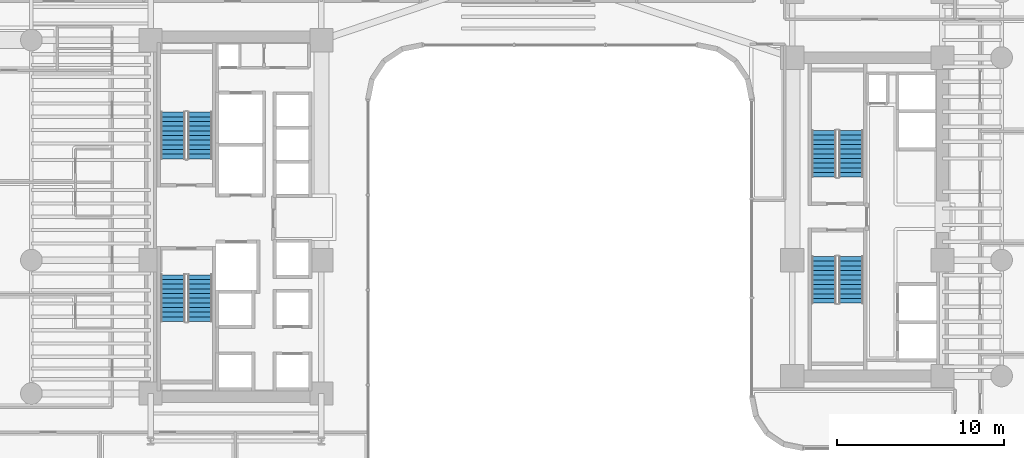
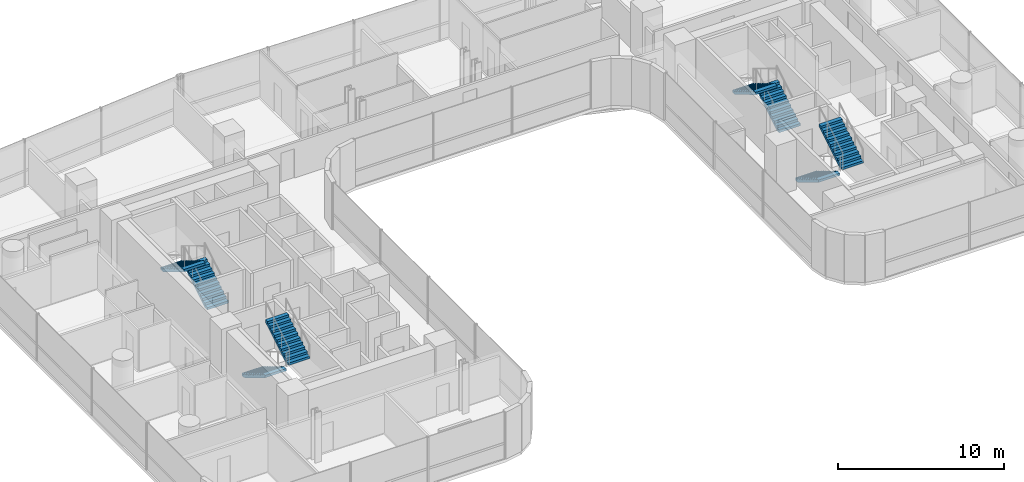
# One storey, part 36 of 41: 8 stair flights, 4 elements without a shape of their own.
"""IFC4 building model written with IfcOpenShell, lengths in metres."""

from ifc_helpers import new_model, si_unit, direction, frame, origin, place, context, subcontext, project, spatial, polyline, outline, extrude, material, type_object, element, aggregate, save


model = new_model("IFC4")

# Units and contexts
model_context = context("Model", 3, precision=1e-05, world=origin(), true_north=direction((0.0, 1.0)))
body_context = subcontext(model_context, "Body", "Model", "MODEL_VIEW")
ifc_project = project(units=[si_unit("LENGTHUNIT", "METRE"), si_unit("AREAUNIT", "SQUARE_METRE"), si_unit("VOLUMEUNIT", "CUBIC_METRE"), si_unit("PLANEANGLEUNIT", "RADIAN"), si_unit("MASSUNIT", "GRAM", prefix="KILO")], contexts=[model_context])

# Site, building, storey
site_placement = place(None, origin())
site = spatial("IfcSite", under=ifc_project, at=site_placement, CompositionType="ELEMENT")
building_placement = place(site_placement, origin())
building = spatial("IfcBuilding", under=site, at=building_placement, Name="Valdorenza Pilgrim Sanctuary Tower", CompositionType="ELEMENT")
storey_placement = place(building_placement, frame((0.0, 0.0, 88.89990234375)))
storey = spatial("IfcBuildingStorey", under=building, at=storey_placement, Name="L22", CompositionType="ELEMENT", Elevation=88.89990234375)

# Stair, stair flights
ifc_material = material(Name="Concrete C40/50", Category="concrete")
stair_type = type_object("IfcStairType", Name="STR-DOG-CORE", PredefinedType="HALF_TURN_STAIR", material=ifc_material)
stair_1_placement = place(storey_placement, origin())
stair_1 = element("IfcStair", 1, at=stair_1_placement, inside=storey, type_object=stair_type, Name="L22 ST-A1", PredefinedType="HALF_TURN_STAIR")
stair_flight_type = type_object("IfcStairFlightType", Name="STF-RC-1400", PredefinedType="STRAIGHT", material=ifc_material)
stair_flight_1_placement = place(storey_placement, frame((-19.679931640625, 3.47998046875, 0.0), z_axis=(0.0, 0.0, 1.0), x_axis=(0.0, 1.0, 0.0)))
stair_flight_1 = element("IfcStairFlight", 2, at=stair_flight_1_placement, type_object=stair_flight_type, Name="ST-A1 flight 1", NumberOfRisers=11, NumberOfTreads=10, PredefinedType="STRAIGHT", RiserHeight=0.168181818, TreadLength=0.28, context=body_context, shape_type="SweptSolid", body=[
    extrude(outline(polyline([(0.0, 0.0), (0.0, 0.168212890625), (0.280029296875, 0.168212890625), (0.280029296875, 0.33642578125), (0.56005859375, 0.33642578125), (0.56005859375, 0.504638671875), (0.840087890625, 0.504638671875), (0.840087890625, 0.672607421875), (1.1201171875, 0.672607421875), (1.1201171875, 0.8408203125), (1.39990234375, 0.8408203125), (1.39990234375, 1.009033203125), (1.679931640625, 1.009033203125), (1.679931640625, 1.17724609375), (1.9599609375, 1.17724609375), (1.9599609375, 1.345458984375), (2.239990234375, 1.345458984375), (2.239990234375, 1.513671875), (2.52001953125, 1.513671875), (2.52001953125, 1.681884765625), (2.800048828125, 1.681884765625), (2.800048828125, 1.85009765625), (2.800048828125, 1.5068359375), (0.291015625, 0.0), (0.0, 0.0)])), frame((0.0, 0.739990234375, 0.0), z_axis=(0.0, -1.0, 0.0), x_axis=(1.0, 0.0, 0.0)), (0.0, 0.0, 1.0), 1.47998046875),
])
stair_flight_2_placement = place(storey_placement, frame((-21.31005859375, 6.280029296875, 1.85009765625), z_axis=(0.0, 0.0, 1.0), x_axis=(0.0, -1.0, 0.0)))
stair_flight_2 = element("IfcStairFlight", 3, at=stair_flight_2_placement, type_object=stair_flight_type, Name="ST-A1 flight 2", NumberOfRisers=11, NumberOfTreads=10, PredefinedType="STRAIGHT", RiserHeight=0.168181818, TreadLength=0.28, context=body_context, shape_type="SweptSolid", body=[
    extrude(outline(polyline([(0.0, 0.0), (0.0, 0.168212890625), (0.280029296875, 0.168212890625), (0.280029296875, 0.33642578125), (0.56005859375, 0.33642578125), (0.56005859375, 0.504638671875), (0.840087890625, 0.504638671875), (0.840087890625, 0.672607421875), (1.1201171875, 0.672607421875), (1.1201171875, 0.8408203125), (1.39990234375, 0.8408203125), (1.39990234375, 1.009033203125), (1.679931640625, 1.009033203125), (1.679931640625, 1.17724609375), (1.9599609375, 1.17724609375), (1.9599609375, 1.345458984375), (2.239990234375, 1.345458984375), (2.239990234375, 1.513671875), (2.52001953125, 1.513671875), (2.52001953125, 1.681884765625), (2.800048828125, 1.681884765625), (2.800048828125, 1.85009765625), (2.800048828125, 1.5068359375), (0.291015625, 0.0), (0.0, 0.0)])), frame((0.0, 0.739990234375, 0.0), z_axis=(0.0, -1.0, 0.0), x_axis=(1.0, 0.0, 0.0)), (0.0, 0.0, 1.0), 1.47998046875),
])
aggregate(stair_1, [stair_flight_1, stair_flight_2])

stair_2_placement = place(storey_placement, origin())
stair_2 = element("IfcStair", 4, at=stair_2_placement, inside=storey, type_object=stair_type, Name="L22 ST-A2", PredefinedType="HALF_TURN_STAIR")
stair_flight_3_placement = place(storey_placement, frame((-21.31005859375, -3.47998046875, 0.0), z_axis=(0.0, 0.0, 1.0), x_axis=(0.0, -1.0, 0.0)))
stair_flight_3 = element("IfcStairFlight", 5, at=stair_flight_3_placement, type_object=stair_flight_type, Name="ST-A2 flight 1", NumberOfRisers=11, NumberOfTreads=10, PredefinedType="STRAIGHT", RiserHeight=0.168181818, TreadLength=0.28, context=body_context, shape_type="SweptSolid", body=[
    extrude(outline(polyline([(0.0, 0.0), (0.0, 0.168212890625), (0.280029296875, 0.168212890625), (0.280029296875, 0.33642578125), (0.56005859375, 0.33642578125), (0.56005859375, 0.504638671875), (0.840087890625, 0.504638671875), (0.840087890625, 0.672607421875), (1.1201171875, 0.672607421875), (1.1201171875, 0.8408203125), (1.39990234375, 0.8408203125), (1.39990234375, 1.009033203125), (1.679931640625, 1.009033203125), (1.679931640625, 1.17724609375), (1.9599609375, 1.17724609375), (1.9599609375, 1.345458984375), (2.239990234375, 1.345458984375), (2.239990234375, 1.513671875), (2.52001953125, 1.513671875), (2.52001953125, 1.681884765625), (2.800048828125, 1.681884765625), (2.800048828125, 1.85009765625), (2.800048828125, 1.5068359375), (0.291015625, 0.0), (0.0, 0.0)])), frame((0.0, 0.739990234375, 0.0), z_axis=(0.0, -1.0, 0.0), x_axis=(1.0, 0.0, 0.0)), (0.0, 0.0, 1.0), 1.47998046875),
])
stair_flight_4_placement = place(storey_placement, frame((-19.679931640625, -6.280029296875, 1.85009765625), z_axis=(0.0, 0.0, 1.0), x_axis=(0.0, 1.0, 0.0)))
stair_flight_4 = element("IfcStairFlight", 6, at=stair_flight_4_placement, type_object=stair_flight_type, Name="ST-A2 flight 2", NumberOfRisers=11, NumberOfTreads=10, PredefinedType="STRAIGHT", RiserHeight=0.168181818, TreadLength=0.28, context=body_context, shape_type="SweptSolid", body=[
    extrude(outline(polyline([(0.0, 0.0), (0.0, 0.168212890625), (0.280029296875, 0.168212890625), (0.280029296875, 0.33642578125), (0.56005859375, 0.33642578125), (0.56005859375, 0.504638671875), (0.840087890625, 0.504638671875), (0.840087890625, 0.672607421875), (1.1201171875, 0.672607421875), (1.1201171875, 0.8408203125), (1.39990234375, 0.8408203125), (1.39990234375, 1.009033203125), (1.679931640625, 1.009033203125), (1.679931640625, 1.17724609375), (1.9599609375, 1.17724609375), (1.9599609375, 1.345458984375), (2.239990234375, 1.345458984375), (2.239990234375, 1.513671875), (2.52001953125, 1.513671875), (2.52001953125, 1.681884765625), (2.800048828125, 1.681884765625), (2.800048828125, 1.85009765625), (2.800048828125, 1.5068359375), (0.291015625, 0.0), (0.0, 0.0)])), frame((0.0, 0.739990234375, 0.0), z_axis=(0.0, -1.0, 0.0), x_axis=(1.0, 0.0, 0.0)), (0.0, 0.0, 1.0), 1.47998046875),
])
aggregate(stair_2, [stair_flight_3, stair_flight_4])

stair_3_placement = place(storey_placement, origin())
stair_3 = element("IfcStair", 7, at=stair_3_placement, inside=storey, type_object=stair_type, Name="L22 ST-B1", PredefinedType="HALF_TURN_STAIR")
stair_flight_5_placement = place(storey_placement, frame((19.3701171875, 2.3798828125, 0.0), z_axis=(0.0, 0.0, 1.0), x_axis=(0.0, 1.0, 0.0)))
stair_flight_5 = element("IfcStairFlight", 8, at=stair_flight_5_placement, type_object=stair_flight_type, Name="ST-B1 flight 1", NumberOfRisers=11, NumberOfTreads=10, PredefinedType="STRAIGHT", RiserHeight=0.168181818, TreadLength=0.28, context=body_context, shape_type="SweptSolid", body=[
    extrude(outline(polyline([(0.0, 0.0), (0.0, 0.168212890625), (0.280029296875, 0.168212890625), (0.280029296875, 0.33642578125), (0.56005859375, 0.33642578125), (0.56005859375, 0.504638671875), (0.840087890625, 0.504638671875), (0.840087890625, 0.672607421875), (1.1201171875, 0.672607421875), (1.1201171875, 0.8408203125), (1.39990234375, 0.8408203125), (1.39990234375, 1.009033203125), (1.679931640625, 1.009033203125), (1.679931640625, 1.17724609375), (1.9599609375, 1.17724609375), (1.9599609375, 1.345458984375), (2.239990234375, 1.345458984375), (2.239990234375, 1.513671875), (2.52001953125, 1.513671875), (2.52001953125, 1.681884765625), (2.800048828125, 1.681884765625), (2.800048828125, 1.85009765625), (2.800048828125, 1.5068359375), (0.291015625, 0.0), (0.0, 0.0)])), frame((0.0, 0.739990234375, 0.0), z_axis=(0.0, -1.0, 0.0), x_axis=(1.0, 0.0, 0.0)), (0.0, 0.0, 1.0), 1.47998046875),
])
stair_flight_6_placement = place(storey_placement, frame((17.739990234375, 5.179931640625, 1.85009765625), z_axis=(0.0, 0.0, 1.0), x_axis=(0.0, -1.0, 0.0)))
stair_flight_6 = element("IfcStairFlight", 9, at=stair_flight_6_placement, type_object=stair_flight_type, Name="ST-B1 flight 2", NumberOfRisers=11, NumberOfTreads=10, PredefinedType="STRAIGHT", RiserHeight=0.168181818, TreadLength=0.28, context=body_context, shape_type="SweptSolid", body=[
    extrude(outline(polyline([(0.0, 0.0), (0.0, 0.168212890625), (0.280029296875, 0.168212890625), (0.280029296875, 0.33642578125), (0.56005859375, 0.33642578125), (0.56005859375, 0.504638671875), (0.840087890625, 0.504638671875), (0.840087890625, 0.672607421875), (1.1201171875, 0.672607421875), (1.1201171875, 0.8408203125), (1.39990234375, 0.8408203125), (1.39990234375, 1.009033203125), (1.679931640625, 1.009033203125), (1.679931640625, 1.17724609375), (1.9599609375, 1.17724609375), (1.9599609375, 1.345458984375), (2.239990234375, 1.345458984375), (2.239990234375, 1.513671875), (2.52001953125, 1.513671875), (2.52001953125, 1.681884765625), (2.800048828125, 1.681884765625), (2.800048828125, 1.85009765625), (2.800048828125, 1.5068359375), (0.291015625, 0.0), (0.0, 0.0)])), frame((0.0, 0.739990234375, 0.0), z_axis=(0.0, -1.0, 0.0), x_axis=(1.0, 0.0, 0.0)), (0.0, 0.0, 1.0), 1.47998046875),
])
aggregate(stair_3, [stair_flight_5, stair_flight_6])

stair_4_placement = place(storey_placement, origin())
stair_4 = element("IfcStair", 10, at=stair_4_placement, inside=storey, type_object=stair_type, Name="L22 ST-B2", PredefinedType="HALF_TURN_STAIR")
stair_flight_7_placement = place(storey_placement, frame((17.739990234375, -2.3798828125, 0.0), z_axis=(0.0, 0.0, 1.0), x_axis=(0.0, -1.0, 0.0)))
stair_flight_7 = element("IfcStairFlight", 11, at=stair_flight_7_placement, type_object=stair_flight_type, Name="ST-B2 flight 1", NumberOfRisers=11, NumberOfTreads=10, PredefinedType="STRAIGHT", RiserHeight=0.168181818, TreadLength=0.28, context=body_context, shape_type="SweptSolid", body=[
    extrude(outline(polyline([(0.0, 0.0), (0.0, 0.168212890625), (0.280029296875, 0.168212890625), (0.280029296875, 0.33642578125), (0.56005859375, 0.33642578125), (0.56005859375, 0.504638671875), (0.840087890625, 0.504638671875), (0.840087890625, 0.672607421875), (1.1201171875, 0.672607421875), (1.1201171875, 0.8408203125), (1.39990234375, 0.8408203125), (1.39990234375, 1.009033203125), (1.679931640625, 1.009033203125), (1.679931640625, 1.17724609375), (1.9599609375, 1.17724609375), (1.9599609375, 1.345458984375), (2.239990234375, 1.345458984375), (2.239990234375, 1.513671875), (2.52001953125, 1.513671875), (2.52001953125, 1.681884765625), (2.800048828125, 1.681884765625), (2.800048828125, 1.85009765625), (2.800048828125, 1.5068359375), (0.291015625, 0.0), (0.0, 0.0)])), frame((0.0, 0.739990234375, 0.0), z_axis=(0.0, -1.0, 0.0), x_axis=(1.0, 0.0, 0.0)), (0.0, 0.0, 1.0), 1.47998046875),
])
stair_flight_8_placement = place(storey_placement, frame((19.3701171875, -5.179931640625, 1.85009765625), z_axis=(0.0, 0.0, 1.0), x_axis=(0.0, 1.0, 0.0)))
stair_flight_8 = element("IfcStairFlight", 12, at=stair_flight_8_placement, type_object=stair_flight_type, Name="ST-B2 flight 2", NumberOfRisers=11, NumberOfTreads=10, PredefinedType="STRAIGHT", RiserHeight=0.168181818, TreadLength=0.28, context=body_context, shape_type="SweptSolid", body=[
    extrude(outline(polyline([(0.0, 0.0), (0.0, 0.168212890625), (0.280029296875, 0.168212890625), (0.280029296875, 0.33642578125), (0.56005859375, 0.33642578125), (0.56005859375, 0.504638671875), (0.840087890625, 0.504638671875), (0.840087890625, 0.672607421875), (1.1201171875, 0.672607421875), (1.1201171875, 0.8408203125), (1.39990234375, 0.8408203125), (1.39990234375, 1.009033203125), (1.679931640625, 1.009033203125), (1.679931640625, 1.17724609375), (1.9599609375, 1.17724609375), (1.9599609375, 1.345458984375), (2.239990234375, 1.345458984375), (2.239990234375, 1.513671875), (2.52001953125, 1.513671875), (2.52001953125, 1.681884765625), (2.800048828125, 1.681884765625), (2.800048828125, 1.85009765625), (2.800048828125, 1.5068359375), (0.291015625, 0.0), (0.0, 0.0)])), frame((0.0, 0.739990234375, 0.0), z_axis=(0.0, -1.0, 0.0), x_axis=(1.0, 0.0, 0.0)), (0.0, 0.0, 1.0), 1.47998046875),
])
aggregate(stair_4, [stair_flight_7, stair_flight_8])

save(model, "model.ifc")
